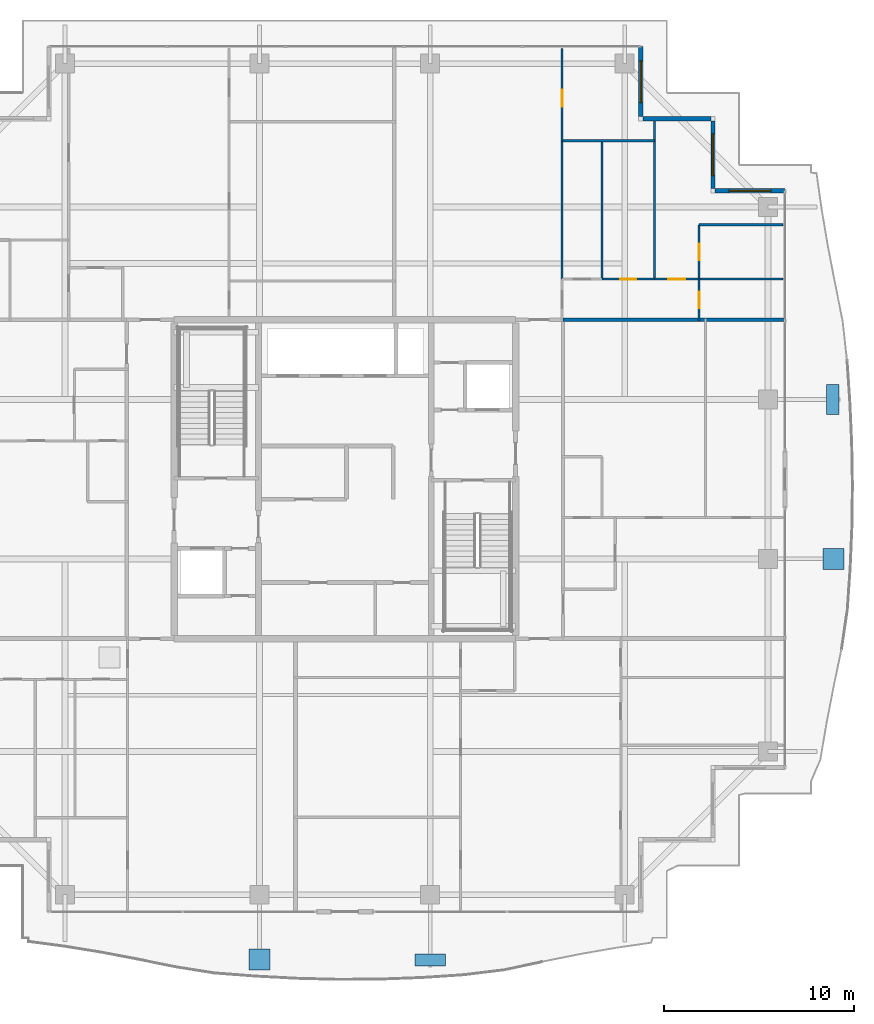
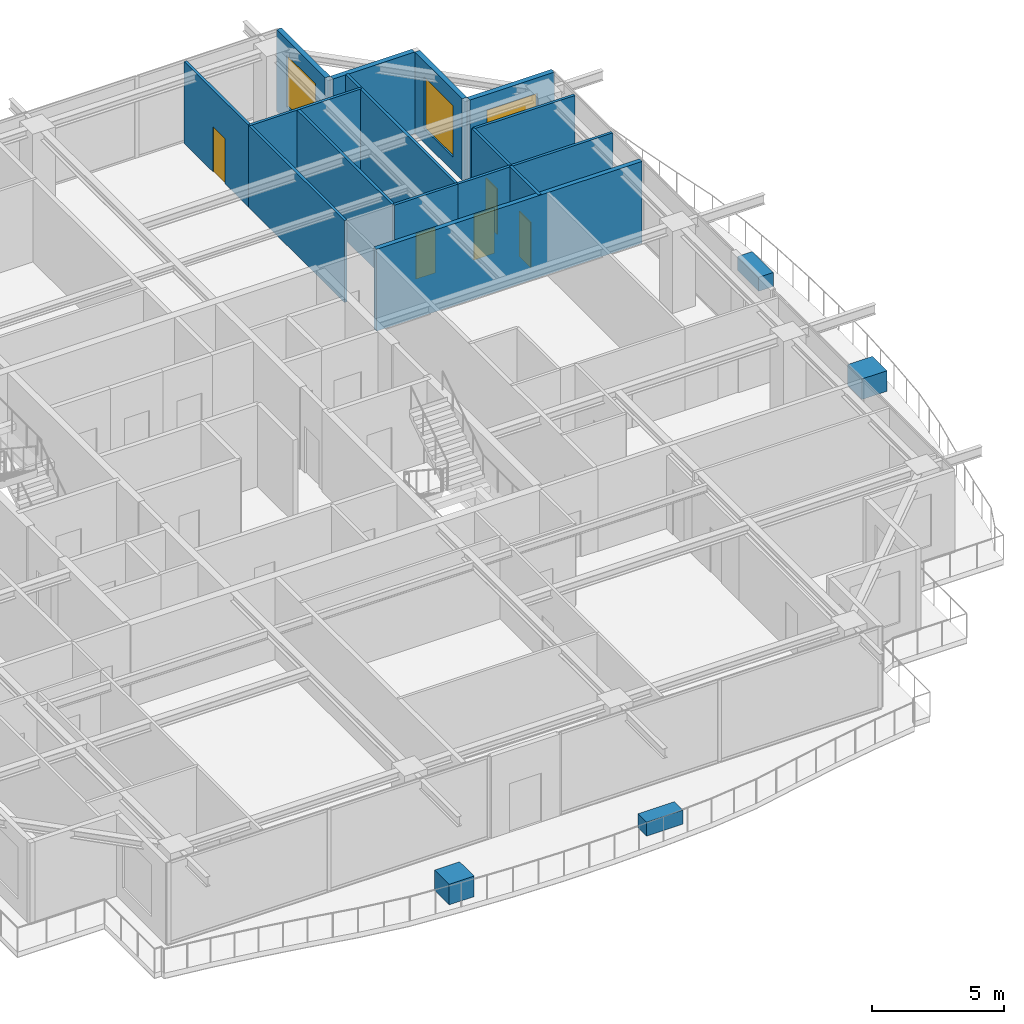
# One storey, part 35 of 42: 16 walls, 5 doors, 4 discrete accessories, 3 windows, 8 openings.
"""IFC4 building model written with IfcOpenShell, lengths in metres."""

from ifc_helpers import new_model, si_unit, direction, frame, frame_2d, origin, origin_2d, place, context, subcontext, project, spatial, rectangle, extrude, source, transform, mapped, material, layer, layer_set, type_object, element, fill, save


model = new_model("IFC4")

# Units and contexts
model_context = context("Model", 3, precision=1e-05, world=origin(), true_north=direction((0.0, 1.0)))
body_context = subcontext(model_context, "Body", "Model", "MODEL_VIEW")
ifc_project = project(units=[si_unit("LENGTHUNIT", "METRE"), si_unit("AREAUNIT", "SQUARE_METRE"), si_unit("VOLUMEUNIT", "CUBIC_METRE"), si_unit("PLANEANGLEUNIT", "RADIAN"), si_unit("MASSUNIT", "GRAM", prefix="KILO")], contexts=[model_context])

# Site, building, storey
site_placement = place(None, origin())
site = spatial("IfcSite", under=ifc_project, at=site_placement, CompositionType="ELEMENT")
building_placement = place(site_placement, origin())
building = spatial("IfcBuilding", under=site, at=building_placement, Name="Serunith Strait Residences", CompositionType="ELEMENT")
storey_placement = place(building_placement, frame((0.0, 0.0, 293.449951171875)))
storey = spatial("IfcBuildingStorey", under=building, at=storey_placement, Name="L73", CompositionType="ELEMENT", Elevation=293.449951171875)

# Wall, opening, window
ifc_material_1 = material(Name="Pale-Champagne Aluminium Insulated Panel", Category="aluminium")
ifc_layer_1 = layer(ifc_material_1, 0.219970703125, Name="Pale-Champagne Aluminium Insulated Panel")
ifc_layer_set_1 = layer_set([ifc_layer_1], Name="Pale-Champagne Aluminium Insulated Panel")
wall_type_1 = type_object("IfcWallType", Name="EW-ALUM-220", PredefinedType="ELEMENTEDWALL", material=ifc_layer_set_1)
wall_1_placement = place(storey_placement, frame((55.60009765625, 40.39990234375, 0.0), z_axis=(0.0, 0.0, 1.0), x_axis=(-1.0, 0.0, 0.0)))
wall_1 = element("IfcWall", 1, at=wall_1_placement, inside=storey, type_object=wall_type_1, Name="L73 Girih Serrated Corner Wall 07", PredefinedType="ELEMENTEDWALL", context=body_context, shape_type="SweptSolid", body=[
    extrude(rectangle(XDim=3.690185546875, YDim=0.219970703125, at=frame_2d((1.84521484375, 0.0))), origin(), (0.0, 0.0, 1.0), 3.775146484375),
])
opening_1_placement = place(wall_1_placement, frame((0.7451171875, 0.0, 0.64990234375)))
opening_1 = element("IfcOpeningElement", 2, at=opening_1_placement, cuts=wall_1, Name="Opening W-06", PredefinedType="OPENING", context=body_context, shape_type="SweptSolid", body=[
    extrude(rectangle(XDim=2.199951171875, YDim=2.39990234375, at=frame_2d((1.10009765625, 1.199951171875))), frame((0.0, 0.1201171875, 0.0), z_axis=(0.0, -1.0, 0.0), x_axis=(1.0, 0.0, 0.0)), (0.0, 0.0, 1.0), 0.239990234375),
])
ifc_material_2 = material(Name="Crown Penthouse Low-E Operable Window Glass", Category="glass")
window_type = type_object("IfcWindowType", Name="WIN-C6", PartitioningType="TRIPLE_PANEL_VERTICAL", PredefinedType="WINDOW", material=ifc_material_2)
shared_shape_1 = source(origin(), body_context, "Body", "SweptSolid", [
    extrude(rectangle(XDim=2.199951171875, YDim=2.39990234375, at=frame_2d((1.10009765625, 1.199951171875))), frame((0.0, 0.030029296875, 0.0), z_axis=(0.0, -1.0, 0.0), x_axis=(1.0, 0.0, 0.0)), (0.0, 0.0, 1.0), 0.06005859375),
])
window_1_placement = place(opening_1_placement, origin())
window_1 = element("IfcWindow", 3, at=window_1_placement, inside=storey, type_object=window_type, Name="L73 Corner Operable Fritted Window 07", OverallHeight=2.39990234375, OverallWidth=2.199951171875, PartitioningType="SINGLE_PANEL", PredefinedType="WINDOW", context=body_context, shape_type="MappedRepresentation", body=[
    mapped(shared_shape_1, transform((0.0, 0.0, 0.0), scale=1.0)),
])
fill(opening_1, window_1)

wall_2_placement = place(storey_placement, frame((51.800048828125, 40.510009765625, 0.0), z_axis=(0.0, 0.0, 1.0), x_axis=(0.0, 1.0, 0.0)))
wall_2 = element("IfcWall", 4, at=wall_2_placement, inside=storey, type_object=wall_type_1, Name="L73 Girih Serrated Corner Wall 08", PredefinedType="ELEMENTEDWALL", context=body_context, shape_type="SweptSolid", body=[
    extrude(rectangle(XDim=3.580078125, YDim=0.219970703125, at=frame_2d((1.7900390625, 0.0))), origin(), (0.0, 0.0, 1.0), 3.775146484375),
])
opening_2_placement = place(wall_2_placement, frame((0.68994140625, 0.0, 0.64990234375)))
opening_2 = element("IfcOpeningElement", 5, at=opening_2_placement, cuts=wall_2, Name="Opening W-06", PredefinedType="OPENING", context=body_context, shape_type="SweptSolid", body=[
    extrude(rectangle(XDim=2.199951171875, YDim=2.39990234375, at=frame_2d((1.10009765625, 1.199951171875))), frame((0.0, 0.1201171875, 0.0), z_axis=(0.0, -1.0, 0.0), x_axis=(1.0, 0.0, 0.0)), (0.0, 0.0, 1.0), 0.239990234375),
])
window_2_placement = place(opening_2_placement, origin())
window_2 = element("IfcWindow", 6, at=window_2_placement, inside=storey, type_object=window_type, Name="L73 Corner Operable Fritted Window 08", OverallHeight=2.39990234375, OverallWidth=2.199951171875, PartitioningType="SINGLE_PANEL", PredefinedType="WINDOW", context=body_context, shape_type="MappedRepresentation", body=[
    mapped(shared_shape_1, transform((0.0, 0.0, 0.0), scale=1.0)),
])
fill(opening_2, window_2)

# Wall
wall_3_placement = place(storey_placement, frame((51.68994140625, 44.199951171875, 0.0), z_axis=(0.0, 0.0, 1.0), x_axis=(-1.0, 0.0, 0.0)))
element("IfcWall", 7, at=wall_3_placement, inside=storey, type_object=wall_type_1, Name="L73 Girih Serrated Corner Wall 09", PredefinedType="ELEMENTEDWALL", context=body_context, shape_type="SweptSolid", body=[
    extrude(rectangle(XDim=3.579833984375, YDim=0.219970703125, at=frame_2d((1.7900390625, 0.0))), origin(), (0.0, 0.0, 1.0), 3.775146484375),
])

# Wall, opening, window
wall_4_placement = place(storey_placement, frame((48.0, 44.31005859375, 0.0), z_axis=(0.0, 0.0, 1.0), x_axis=(0.0, 1.0, 0.0)))
wall_4 = element("IfcWall", 8, at=wall_4_placement, inside=storey, type_object=wall_type_1, Name="L73 Girih Serrated Corner Wall 10", PredefinedType="ELEMENTEDWALL", context=body_context, shape_type="SweptSolid", body=[
    extrude(rectangle(XDim=3.68994140625, YDim=0.219970703125, at=frame_2d((1.844970703125, 0.0))), origin(), (0.0, 0.0, 1.0), 3.775146484375),
])
opening_3_placement = place(wall_4_placement, frame((0.7451171875, 0.0, 0.64990234375)))
opening_3 = element("IfcOpeningElement", 9, at=opening_3_placement, cuts=wall_4, Name="Opening W-06", PredefinedType="OPENING", context=body_context, shape_type="SweptSolid", body=[
    extrude(rectangle(XDim=2.199951171875, YDim=2.39990234375, at=frame_2d((1.10009765625, 1.199951171875))), frame((0.0, 0.1201171875, 0.0), z_axis=(0.0, -1.0, 0.0), x_axis=(1.0, 0.0, 0.0)), (0.0, 0.0, 1.0), 0.239990234375),
])
window_3_placement = place(opening_3_placement, origin())
window_3 = element("IfcWindow", 10, at=window_3_placement, inside=storey, type_object=window_type, Name="L73 Corner Operable Fritted Window 10", OverallHeight=2.39990234375, OverallWidth=2.199951171875, PartitioningType="SINGLE_PANEL", PredefinedType="WINDOW", context=body_context, shape_type="MappedRepresentation", body=[
    mapped(shared_shape_1, transform((0.0, 0.0, 0.0), scale=1.0)),
])
fill(opening_3, window_3)

# Wall, opening, door
ifc_material_3 = material(Name="Lightweight steel-stud gypsum partition", Category="steel")
ifc_layer_2 = layer(ifc_material_3, 0.1201171875, Name="Lightweight steel-stud gypsum partition")
ifc_layer_set_2 = layer_set([ifc_layer_2], Name="Lightweight steel-stud gypsum partition")
wall_type_2 = type_object("IfcWallType", Name="IW-PART-120", PredefinedType="PARTITIONING", material=ifc_layer_set_2)
wall_5_placement = place(storey_placement, frame((43.85009765625, 47.905029296875, 0.0), z_axis=(0.0, 0.0, 1.0), x_axis=(0.0, -1.0, 0.0)))
wall_5 = element("IfcWall", 11, at=wall_5_placement, inside=storey, type_object=wall_type_2, Name="L73 Partition Wall 070", PredefinedType="PARTITIONING", context=body_context, shape_type="SweptSolid", body=[
    extrude(rectangle(XDim=4.867919921875, YDim=0.1201171875, at=frame_2d((2.43408203125, 0.0))), origin(), (0.0, 0.0, 1.0), 3.7900390625),
])
opening_4_placement = place(wall_5_placement, frame((2.181884765625, 0.0, 0.0)))
opening_4 = element("IfcOpeningElement", 12, at=opening_4_placement, cuts=wall_5, Name="Opening D-RM900", PredefinedType="OPENING", context=body_context, shape_type="SweptSolid", body=[
    extrude(rectangle(XDim=0.89990234375, YDim=2.10009765625, at=frame_2d((0.449951171875, 1.050048828125))), frame((0.0, 0.070068359375, 0.0), z_axis=(0.0, -1.0, 0.0), x_axis=(1.0, 0.0, 0.0)), (0.0, 0.0, 1.0), 0.14013671875),
])
ifc_material_4 = material(Name="Engineered timber flush bedroom door", Category="wood")
door_type_1 = type_object("IfcDoorType", Name="ID-ROOM-900", OperationType="NOTDEFINED", PredefinedType="DOOR", material=ifc_material_4)
shared_shape_2 = source(origin(), body_context, "Body", "SweptSolid", [
    extrude(rectangle(XDim=0.89990234375, YDim=2.10009765625, at=frame_2d((0.449951171875, 1.050048828125))), frame((0.0, 0.02490234375, 0.0), z_axis=(0.0, -1.0, 0.0), x_axis=(1.0, 0.0, 0.0)), (0.0, 0.0, 1.0), 0.050048828125),
])
door_1_placement = place(opening_4_placement, origin())
door_1 = element("IfcDoor", 13, at=door_1_placement, inside=storey, type_object=door_type_1, Name="L73 Study 1 7304 Door", OperationType="SINGLE_SWING_LEFT", OverallHeight=2.10009765625, OverallWidth=0.89990234375, PredefinedType="DOOR", context=body_context, shape_type="MappedRepresentation", body=[
    mapped(shared_shape_2, transform((0.0, 0.0, 0.0), scale=1.0)),
])
fill(opening_4, door_1)

# Walls
wall_6_placement = place(storey_placement, frame((43.85009765625, 43.034912109375, 0.0), z_axis=(0.0, 0.0, 1.0), x_axis=(0.0, -1.0, 0.0)))
element("IfcWall", 14, at=wall_6_placement, inside=storey, type_object=wall_type_2, Name="L73 Partition Wall 071", PredefinedType="PARTITIONING", context=body_context, shape_type="SweptSolid", body=[
    extrude(rectangle(XDim=7.282958984375, YDim=0.1201171875, at=frame_2d((3.6416015625, 0.0))), origin(), (0.0, 0.0, 1.0), 3.7900390625),
])
wall_7_placement = place(storey_placement, frame((43.85009765625, 43.037109375, 0.0), z_axis=(0.0, 0.0, 1.0), x_axis=(1.0, 0.0, 0.0)))
element("IfcWall", 15, at=wall_7_placement, inside=storey, type_object=wall_type_2, Name="L73 Partition Wall 072", PredefinedType="PARTITIONING", context=body_context, shape_type="SweptSolid", body=[
    extrude(rectangle(XDim=4.869873046875, YDim=0.1201171875, at=frame_2d((2.43505859375, 0.0))), origin(), (0.0, 0.0, 1.0), 3.7900390625),
])
wall_8_placement = place(storey_placement, frame((48.719970703125, 44.10498046875, 0.0), z_axis=(0.0, 0.0, 1.0), x_axis=(0.0, -1.0, 0.0)))
element("IfcWall", 16, at=wall_8_placement, inside=storey, type_object=wall_type_2, Name="L73 Partition Wall 073", PredefinedType="PARTITIONING", context=body_context, shape_type="SweptSolid", body=[
    extrude(rectangle(XDim=8.35498046875, YDim=0.1201171875, at=frame_2d((4.177490234375, 0.0))), origin(), (0.0, 0.0, 1.0), 3.7900390625),
])
wall_9_placement = place(storey_placement, frame((45.949951171875, 43.037109375, 0.0), z_axis=(0.0, 0.0, 1.0), x_axis=(0.0, -1.0, 0.0)))
element("IfcWall", 17, at=wall_9_placement, inside=storey, type_object=wall_type_2, Name="L73 Partition Wall 074", PredefinedType="PARTITIONING", context=body_context, shape_type="SweptSolid", body=[
    extrude(rectangle(XDim=7.287109375, YDim=0.1201171875, at=frame_2d((3.6435546875, 0.0))), origin(), (0.0, 0.0, 1.0), 3.7900390625),
])

# Wall, opening, door
wall_10_placement = place(storey_placement, frame((45.951904296875, 35.75, 0.0), z_axis=(0.0, 0.0, 1.0), x_axis=(1.0, 0.0, 0.0)))
wall_10 = element("IfcWall", 18, at=wall_10_placement, inside=storey, type_object=wall_type_2, Name="L73 Partition Wall 076", PredefinedType="PARTITIONING", context=body_context, shape_type="SweptSolid", body=[
    extrude(rectangle(XDim=2.76806640625, YDim=0.1201171875, at=frame_2d((1.384033203125, 0.0))), origin(), (0.0, 0.0, 1.0), 3.7900390625),
])
opening_5_placement = place(wall_10_placement, frame((0.958984375, 0.0, 0.0)))
opening_5 = element("IfcOpeningElement", 19, at=opening_5_placement, cuts=wall_10, Name="Opening D-RM850", PredefinedType="OPENING", context=body_context, shape_type="SweptSolid", body=[
    extrude(rectangle(XDim=0.85009765625, YDim=2.10009765625, at=frame_2d((0.425048828125, 1.050048828125))), frame((0.0, 0.070068359375, 0.0), z_axis=(0.0, -1.0, 0.0), x_axis=(1.0, 0.0, 0.0)), (0.0, 0.0, 1.0), 0.14013671875),
])
ifc_material_5 = material(Name="Engineered timber flush study and kitchen door", Category="wood")
door_type_2 = type_object("IfcDoorType", Name="ID-ROOM-850", OperationType="NOTDEFINED", PredefinedType="DOOR", material=ifc_material_5)
shared_shape_3 = source(origin(), body_context, "Body", "SweptSolid", [
    extrude(rectangle(XDim=0.85009765625, YDim=2.10009765625, at=frame_2d((0.425048828125, 1.050048828125))), frame((0.0, 0.02490234375, 0.0), z_axis=(0.0, -1.0, 0.0), x_axis=(1.0, 0.0, 0.0)), (0.0, 0.0, 1.0), 0.050048828125),
])
door_2_placement = place(opening_5_placement, origin())
door_2 = element("IfcDoor", 20, at=door_2_placement, inside=storey, type_object=door_type_2, Name="L73 Kitchen 7304 Door", OperationType="SINGLE_SWING_LEFT", OverallHeight=2.10009765625, OverallWidth=0.85009765625, PredefinedType="DOOR", context=body_context, shape_type="MappedRepresentation", body=[
    mapped(shared_shape_3, transform((0.0, 0.0, 0.0), scale=1.0)),
])
fill(opening_5, door_2)

wall_11_placement = place(storey_placement, frame((48.721923828125, 35.75, 0.0), z_axis=(0.0, 0.0, 1.0), x_axis=(1.0, 0.0, 0.0)))
wall_11 = element("IfcWall", 21, at=wall_11_placement, inside=storey, type_object=wall_type_2, Name="L73 Partition Wall 077", PredefinedType="PARTITIONING", context=body_context, shape_type="SweptSolid", body=[
    extrude(rectangle(XDim=2.34814453125, YDim=0.1201171875, at=frame_2d((1.174072265625, 0.0))), origin(), (0.0, 0.0, 1.0), 3.7900390625),
])
opening_6_placement = place(wall_11_placement, frame((0.72412109375, 0.0, 0.0)))
opening_6 = element("IfcOpeningElement", 22, at=opening_6_placement, cuts=wall_11, Name="Opening D-RM900", PredefinedType="OPENING", context=body_context, shape_type="SweptSolid", body=[
    extrude(rectangle(XDim=0.89990234375, YDim=2.10009765625, at=frame_2d((0.449951171875, 1.050048828125))), frame((0.0, 0.070068359375, 0.0), z_axis=(0.0, -1.0, 0.0), x_axis=(1.0, 0.0, 0.0)), (0.0, 0.0, 1.0), 0.14013671875),
])
door_3_placement = place(opening_6_placement, origin())
door_3 = element("IfcDoor", 23, at=door_3_placement, inside=storey, type_object=door_type_1, Name="L73 Master Bedroom E 7304 Door", OperationType="SINGLE_SWING_RIGHT", OverallHeight=2.10009765625, OverallWidth=0.89990234375, PredefinedType="DOOR", context=body_context, shape_type="MappedRepresentation", body=[
    mapped(shared_shape_2, transform((0.0, 0.0, 0.0), scale=1.0)),
])
fill(opening_6, door_3)

# Walls
wall_12_placement = place(storey_placement, frame((51.070068359375, 38.60595703125, 0.0), z_axis=(0.0, 0.0, 1.0), x_axis=(1.0, 0.0, 0.0)))
element("IfcWall", 24, at=wall_12_placement, inside=storey, type_object=wall_type_2, Name="L73 Partition Wall 078", PredefinedType="PARTITIONING", context=body_context, shape_type="SweptSolid", body=[
    extrude(rectangle(XDim=4.434814453125, YDim=0.1201171875, at=frame_2d((2.21728515625, 0.0))), origin(), (0.0, 0.0, 1.0), 3.7900390625),
])
wall_13_placement = place(storey_placement, frame((51.072021484375, 35.75, 0.0), z_axis=(0.0, 0.0, 1.0), x_axis=(1.0, 0.0, 0.0)))
element("IfcWall", 25, at=wall_13_placement, inside=storey, type_object=wall_type_2, Name="L73 Partition Wall 079", PredefinedType="PARTITIONING", context=body_context, shape_type="SweptSolid", body=[
    extrude(rectangle(XDim=4.432861328125, YDim=0.1201171875, at=frame_2d((2.21630859375, 0.0))), origin(), (0.0, 0.0, 1.0), 3.7900390625),
])

# Wall, opening, door
wall_14_placement = place(storey_placement, frame((51.070068359375, 38.60595703125, 0.0), z_axis=(0.0, 0.0, 1.0), x_axis=(0.0, -1.0, 0.0)))
wall_14 = element("IfcWall", 26, at=wall_14_placement, inside=storey, type_object=wall_type_2, Name="L73 Partition Wall 080", PredefinedType="PARTITIONING", context=body_context, shape_type="SweptSolid", body=[
    extrude(rectangle(XDim=2.85595703125, YDim=0.1201171875, at=frame_2d((1.427978515625, 0.0))), origin(), (0.0, 0.0, 1.0), 3.7900390625),
])
opening_7_placement = place(wall_14_placement, frame((1.0029296875, 0.0, 0.0)))
opening_7 = element("IfcOpeningElement", 27, at=opening_7_placement, cuts=wall_14, Name="Opening D-BTH850", PredefinedType="OPENING", context=body_context, shape_type="SweptSolid", body=[
    extrude(rectangle(XDim=0.85009765625, YDim=2.10009765625, at=frame_2d((0.425048828125, 1.050048828125))), frame((0.0, 0.070068359375, 0.0), z_axis=(0.0, -1.0, 0.0), x_axis=(1.0, 0.0, 0.0)), (0.0, 0.0, 1.0), 0.14013671875),
])
ifc_material_6 = material(Name="Moisture-resistant timber bathroom door", Category="wood")
door_type_3 = type_object("IfcDoorType", Name="ID-BATH-850", OperationType="NOTDEFINED", PredefinedType="DOOR", material=ifc_material_6)
door_4_placement = place(opening_7_placement, origin())
door_4 = element("IfcDoor", 28, at=door_4_placement, inside=storey, type_object=door_type_3, Name="L73 En-suite Bathroom E 7304 Door", OperationType="SINGLE_SWING_LEFT", OverallHeight=2.10009765625, OverallWidth=0.85009765625, PredefinedType="DOOR", context=body_context, shape_type="MappedRepresentation", body=[
    mapped(shared_shape_3, transform((0.0, 0.0, 0.0), scale=1.0)),
])
fill(opening_7, door_4)

wall_15_placement = place(storey_placement, frame((51.070068359375, 35.748046875, 0.0), z_axis=(0.0, 0.0, 1.0), x_axis=(0.0, -1.0, 0.0)))
wall_15 = element("IfcWall", 29, at=wall_15_placement, inside=storey, type_object=wall_type_2, Name="L73 Partition Wall 081", PredefinedType="PARTITIONING", context=body_context, shape_type="SweptSolid", body=[
    extrude(rectangle(XDim=2.2080078125, YDim=0.1201171875, at=frame_2d((1.10400390625, 0.0))), origin(), (0.0, 0.0, 1.0), 3.7900390625),
])
opening_8_placement = place(wall_15_placement, frame((0.678955078125, 0.0, 0.0)))
opening_8 = element("IfcOpeningElement", 30, at=opening_8_placement, cuts=wall_15, Name="Opening D-RM850", PredefinedType="OPENING", context=body_context, shape_type="SweptSolid", body=[
    extrude(rectangle(XDim=0.85009765625, YDim=2.10009765625, at=frame_2d((0.425048828125, 1.050048828125))), frame((0.0, 0.070068359375, 0.0), z_axis=(0.0, -1.0, 0.0), x_axis=(1.0, 0.0, 0.0)), (0.0, 0.0, 1.0), 0.14013671875),
])
door_5_placement = place(opening_8_placement, origin())
door_5 = element("IfcDoor", 31, at=door_5_placement, inside=storey, type_object=door_type_2, Name="L73 Wardrobe E 7304 Door", OperationType="SINGLE_SWING_RIGHT", OverallHeight=2.10009765625, OverallWidth=0.85009765625, PredefinedType="DOOR", context=body_context, shape_type="MappedRepresentation", body=[
    mapped(shared_shape_3, transform((0.0, 0.0, 0.0), scale=1.0)),
])
fill(opening_8, door_5)

# Wall
ifc_material_7 = material(Name="Twin-stud acoustic gypsum board partition")
ifc_layer_3 = layer(ifc_material_7, 0.199951171875, Name="Twin-stud acoustic gypsum board partition")
ifc_layer_set_3 = layer_set([ifc_layer_3], Name="Twin-stud acoustic gypsum board partition")
wall_type_3 = type_object("IfcWallType", Name="IW-PARTY-200", PredefinedType="PARTITIONING", material=ifc_layer_set_3)
wall_16_placement = place(storey_placement, frame((43.89990234375, 33.60009765625, 0.0), z_axis=(0.0, 0.0, 1.0), x_axis=(1.0, 0.0, 0.0)))
element("IfcWall", 32, at=wall_16_placement, inside=storey, type_object=wall_type_3, Name="L73 Partition Wall 025", PredefinedType="PARTITIONING", context=body_context, shape_type="SweptSolid", body=[
    extrude(rectangle(XDim=11.6181640625, YDim=0.199951171875, at=frame_2d((5.80908203125, 0.0))), origin(), (0.0, 0.0, 1.0), 3.7900390625),
])

# Discrete accessories
ifc_material_8 = material(Name="GFRC Root-Anchored Structural Planter")
discrete_accessory_type_1 = type_object("IfcDiscreteAccessoryType", Name="ACC-PLANTER-TREE", PredefinedType="USERDEFINED", material=ifc_material_8)
shared_shape_4 = source(origin(), body_context, "Body", "SweptSolid", [
    extrude(rectangle(XDim=1.10009765625, YDim=1.10009765625, at=origin_2d()), origin(), (0.0, 0.0, 1.0), 0.949951171875),
])
for number, where, z_axis, x_axis, name in (
    (33, (27.89990234375, -0.108154296875, -0.0498046875), (0.0, 0.0, 1.0), (1.0, 0.0, 0.0), "L73 Vertical-Forest Tree Planter 02"),
    (34, (58.16259765625, 21.0, -0.0498046875), (0.0, 0.0, 1.0), (0.0, 1.0, 0.0), "L73 Vertical-Forest Tree Planter 10"),
):
    element("IfcDiscreteAccessory", number, at=place(storey_placement, frame(where, z_axis=z_axis, x_axis=x_axis)), inside=storey, type_object=discrete_accessory_type_1, Name=name, ObjectType="PLANTER", PredefinedType="USERDEFINED", context=body_context, shape_type="MappedRepresentation", body=[
        mapped(shared_shape_4, transform((0.0, 0.0, 0.0), scale=1.0)),
    ])
ifc_material_9 = material(Name="GFRC Irrigated Shrub Trough Planter")
discrete_accessory_type_2 = type_object("IfcDiscreteAccessoryType", Name="ACC-PLANTER-SHRUB", PredefinedType="USERDEFINED", material=ifc_material_9)
shared_shape_5 = source(origin(), body_context, "Body", "SweptSolid", [
    extrude(rectangle(XDim=1.60009765625, YDim=0.64990234375, at=origin_2d()), origin(), (0.0, 0.0, 1.0), 0.64990234375),
])
for number, where, z_axis, x_axis, name in (
    (35, (36.89990234375, -0.1435546875, -0.0498046875), (0.0, 0.0, 1.0), (1.0, 0.0, 0.0), "L73 Vertical-Forest Shrub Planter 03"),
    (36, (58.11865234375, 29.39990234375, -0.0498046875), (0.0, 0.0, 1.0), (0.0, 1.0, 0.0), "L73 Vertical-Forest Shrub Planter 11"),
):
    element("IfcDiscreteAccessory", number, at=place(storey_placement, frame(where, z_axis=z_axis, x_axis=x_axis)), inside=storey, type_object=discrete_accessory_type_2, Name=name, ObjectType="PLANTER", PredefinedType="USERDEFINED", context=body_context, shape_type="MappedRepresentation", body=[
        mapped(shared_shape_5, transform((0.0, 0.0, 0.0), scale=1.0)),
    ])

save(model, "model.ifc")
